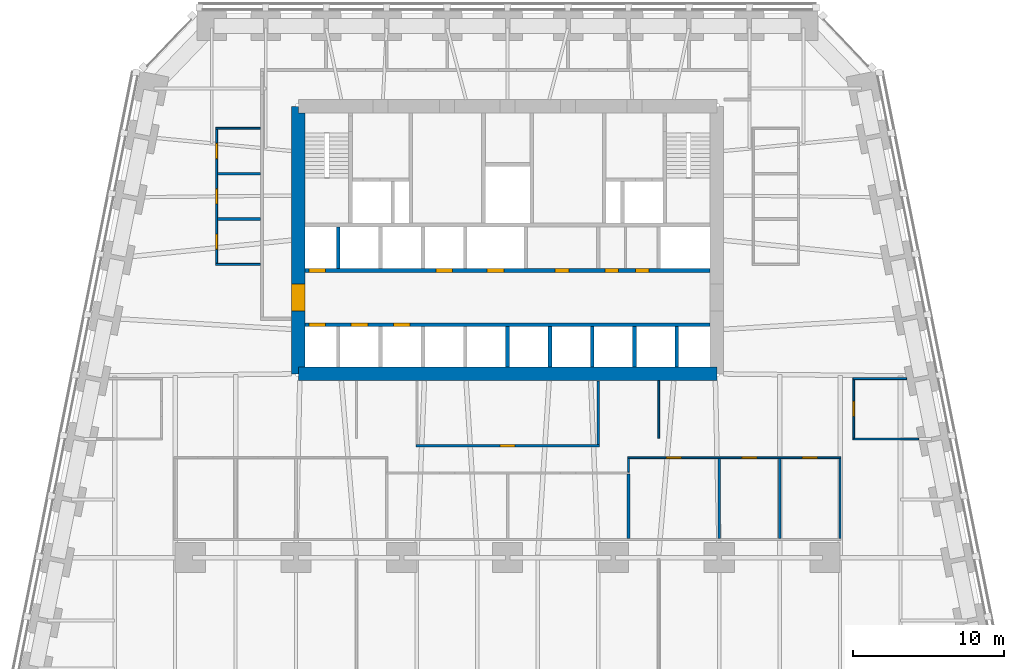
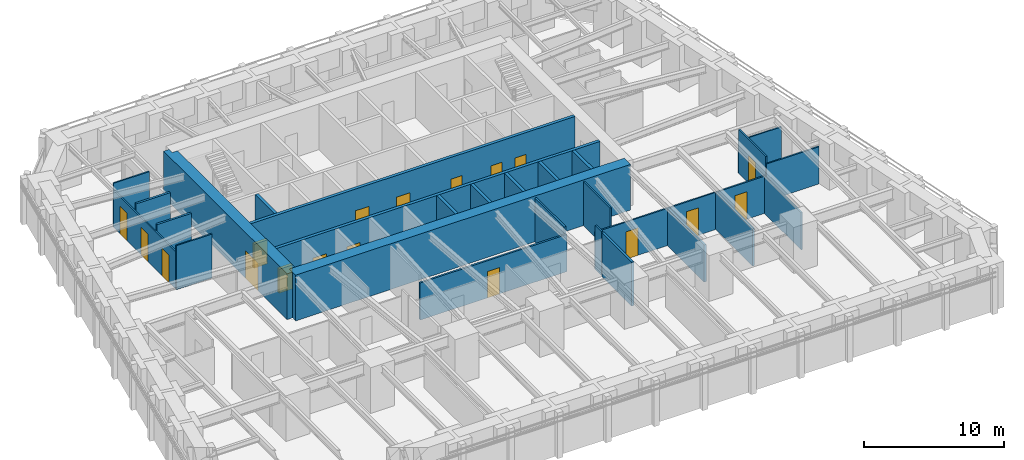
# One storey, part 6 of 10: 27 walls, 18 doors, 18 openings.
"""IFC4 building model written with IfcOpenShell, lengths in metres."""

from ifc_helpers import new_model, si_unit, direction, frame, frame_2d, origin, place, context, subcontext, project, spatial, polyline, rectangle, outline, extrude, material, layer, layer_set, type_object, element, fill, save


model = new_model("IFC4")

# Units and contexts
model_context = context("Model", 3, precision=1e-05, world=origin(), true_north=direction((0.0, 1.0)))
body_context = subcontext(model_context, "Body", "Model", "MODEL_VIEW")
ifc_project = project(units=[si_unit("LENGTHUNIT", "METRE"), si_unit("AREAUNIT", "SQUARE_METRE"), si_unit("VOLUMEUNIT", "CUBIC_METRE"), si_unit("PLANEANGLEUNIT", "RADIAN"), si_unit("MASSUNIT", "GRAM", prefix="KILO")], contexts=[model_context])

# Site, building, storey
site_placement = place(None, origin())
site = spatial("IfcSite", under=ifc_project, at=site_placement, CompositionType="ELEMENT")
building_placement = place(site_placement, origin())
building = spatial("IfcBuilding", under=site, at=building_placement, Name="Isbrekke Arena Tower", CompositionType="ELEMENT")
storey_placement = place(building_placement, frame((0.0, 0.0, 76.0)))
storey = spatial("IfcBuildingStorey", under=building, at=storey_placement, Name="L16", CompositionType="ELEMENT", Elevation=76.0)

# Wall
ifc_material_1 = material(Name="Concrete B65 (C65/80)", Category="concrete")
ifc_layer_1 = layer(ifc_material_1, 0.89990234375)
ifc_layer_set_1 = layer_set([ifc_layer_1], Name="CW2 CORE WALL 900")
wall_type_1 = type_object("IfcWallType", Name="CW2 CORE WALL 900", PredefinedType="SHEAR", material=ifc_layer_set_1)
wall_1_placement = place(storey_placement, frame((-13.85009765625, 6.14990234375, 0.0), z_axis=(0.0, 0.0, 1.0), x_axis=(1.0, 0.0, 0.0)))
element("IfcWall", 1, at=wall_1_placement, inside=storey, type_object=wall_type_1, Name="Core wall S L16", PredefinedType="SHEAR", context=body_context, shape_type="SweptSolid", body=[
    extrude(rectangle(XDim=27.7001953125, YDim=0.89990234375, at=frame_2d((13.85009765625, 0.0))), origin(), (0.0, 0.0, 1.0), 4.0),
])

# Wall, opening, door
wall_2_placement = place(storey_placement, frame((-13.85009765625, 23.85009765625, 0.0), z_axis=(0.0, 0.0, 1.0), x_axis=(0.0, -1.0, 0.0)))
wall_2 = element("IfcWall", 2, at=wall_2_placement, inside=storey, type_object=wall_type_1, Name="Core wall W L16", PredefinedType="SHEAR", context=body_context, shape_type="SweptSolid", body=[
    extrude(outline(polyline([(0.0, -0.449951171875), (17.7001953125, -0.449951171875), (17.7001953125, 0.0), (17.250244140625, 0.0), (17.250244140625, 0.449951171875), (0.449951171875, 0.449951171875), (0.449951171875, 0.0), (0.0, 0.0), (0.0, -0.449951171875)])), origin(), (0.0, 0.0, 1.0), 4.0),
])
opening_1_placement = place(wall_2_placement, frame((11.75, 0.0, 0.0)))
opening_1 = element("IfcOpeningElement", 3, at=opening_1_placement, cuts=wall_2, Name="Opening D1", PredefinedType="OPENING", context=body_context, shape_type="SweptSolid", body=[
    extrude(rectangle(XDim=1.800048828125, YDim=2.39990234375, at=frame_2d((0.89990234375, 1.199951171875))), frame((0.0, 0.46484375, 0.0), z_axis=(0.0, -1.0, 0.0), x_axis=(1.0, 0.0, 0.0)), (0.0, 0.0, 1.0), 0.9296875),
])
ifc_material_2 = material(Name="Steel-framed glazed fire door", Category="steel")
door_type_1 = type_object("IfcDoorType", Name="D1 CORE LOBBY DOOR 1800 x 2400", OperationType="DOUBLE_DOOR_SINGLE_SWING", PredefinedType="DOOR", material=ifc_material_2)
door_1_placement = place(opening_1_placement, origin())
door_1 = element("IfcDoor", 4, at=door_1_placement, inside=storey, type_object=door_type_1, Name="D1 lift lobby door west L16", OperationType="DOUBLE_DOOR_SINGLE_SWING", OverallHeight=2.39990234375, OverallWidth=1.800048828125, PredefinedType="DOOR", context=body_context, shape_type="SweptSolid", body=[
    extrude(rectangle(XDim=1.800048828125, YDim=2.39990234375, at=frame_2d((0.89990234375, 1.199951171875))), frame((0.0, 0.44970703125, 0.0), z_axis=(0.0, -1.0, 0.0), x_axis=(1.0, 0.0, 0.0)), (0.0, 0.0, 1.0), 0.8994140625),
])
fill(opening_1, door_1)

# Wall, openings, doors
ifc_material_3 = material(Name="Concrete B45 (C45/55)", Category="concrete")
ifc_layer_2 = layer(ifc_material_3, 0.25)
ifc_layer_set_2 = layer_set([ifc_layer_2], Name="CW6 SHAFT WALL 250")
wall_type_2 = type_object("IfcWallType", Name="CW6 SHAFT WALL 250", PredefinedType="SHEAR", material=ifc_layer_set_2)
wall_3_placement = place(storey_placement, frame((-13.39990234375, 9.39990234375, 0.0), z_axis=(0.0, 0.0, 1.0), x_axis=(1.0, 0.0, 0.0)))
wall_3 = element("IfcWall", 5, at=wall_3_placement, inside=storey, type_object=wall_type_2, Name="Core wall LS L16", PredefinedType="SHEAR", context=body_context, shape_type="SweptSolid", body=[
    extrude(rectangle(XDim=26.7998046875, YDim=0.25, at=frame_2d((13.39990234375, 0.0))), origin(), (0.0, 0.0, 1.0), 4.0),
])
opening_2_placement = place(wall_3_placement, frame((0.25, 0.0, 0.0)))
opening_2 = element("IfcOpeningElement", 6, at=opening_2_placement, cuts=wall_3, Name="Opening LD1", PredefinedType="OPENING", context=body_context, shape_type="SweptSolid", body=[
    extrude(rectangle(XDim=1.10009765625, YDim=2.10009765625, at=frame_2d((0.550048828125, 1.050048828125))), frame((0.0, 0.139892578125, 0.0), z_axis=(0.0, -1.0, 0.0), x_axis=(1.0, 0.0, 0.0)), (0.0, 0.0, 1.0), 0.27978515625),
])
opening_3_placement = place(wall_3_placement, frame((3.050048828125, 0.0, 0.0)))
opening_3 = element("IfcOpeningElement", 7, at=opening_3_placement, cuts=wall_3, Name="Opening LD1", PredefinedType="OPENING", context=body_context, shape_type="SweptSolid", body=[
    extrude(rectangle(XDim=1.10009765625, YDim=2.10009765625, at=frame_2d((0.550048828125, 1.050048828125))), frame((0.0, 0.139892578125, 0.0), z_axis=(0.0, -1.0, 0.0), x_axis=(1.0, 0.0, 0.0)), (0.0, 0.0, 1.0), 0.27978515625),
])
opening_4_placement = place(wall_3_placement, frame((5.85009765625, 0.0, 0.0)))
opening_4 = element("IfcOpeningElement", 8, at=opening_4_placement, cuts=wall_3, Name="Opening LD1", PredefinedType="OPENING", context=body_context, shape_type="SweptSolid", body=[
    extrude(rectangle(XDim=1.10009765625, YDim=2.10009765625, at=frame_2d((0.550048828125, 1.050048828125))), frame((0.0, 0.139892578125, 0.0), z_axis=(0.0, -1.0, 0.0), x_axis=(1.0, 0.0, 0.0)), (0.0, 0.0, 1.0), 0.27978515625),
])
ifc_material_4 = material(Name="Stainless steel lift landing door", Category="steel")
door_type_2 = type_object("IfcDoorType", Name="LD1 LIFT LANDING DOOR 1100 x 2100", OperationType="SLIDING_TO_LEFT", PredefinedType="DOOR", material=ifc_material_4)
door_2_placement = place(opening_2_placement, origin())
door_2 = element("IfcDoor", 9, at=door_2_placement, inside=storey, type_object=door_type_2, Name="LD1 lift landing door LA L16", OperationType="SLIDING_TO_LEFT", OverallHeight=2.10009765625, OverallWidth=1.10009765625, PredefinedType="DOOR", context=body_context, shape_type="SweptSolid", body=[
    extrude(rectangle(XDim=1.10009765625, YDim=2.10009765625, at=frame_2d((0.550048828125, 1.050048828125))), frame((0.0, 0.124755859375, 0.0), z_axis=(0.0, -1.0, 0.0), x_axis=(1.0, 0.0, 0.0)), (0.0, 0.0, 1.0), 0.24951171875),
])
fill(opening_2, door_2)
door_3_placement = place(opening_3_placement, origin())
door_3 = element("IfcDoor", 10, at=door_3_placement, inside=storey, type_object=door_type_2, Name="LD1 lift landing door LA L16", OperationType="SLIDING_TO_LEFT", OverallHeight=2.10009765625, OverallWidth=1.10009765625, PredefinedType="DOOR", context=body_context, shape_type="SweptSolid", body=[
    extrude(rectangle(XDim=1.10009765625, YDim=2.10009765625, at=frame_2d((0.550048828125, 1.050048828125))), frame((0.0, 0.124755859375, 0.0), z_axis=(0.0, -1.0, 0.0), x_axis=(1.0, 0.0, 0.0)), (0.0, 0.0, 1.0), 0.24951171875),
])
fill(opening_3, door_3)
door_4_placement = place(opening_4_placement, origin())
door_4 = element("IfcDoor", 11, at=door_4_placement, inside=storey, type_object=door_type_2, Name="LD1 lift landing door LA L16", OperationType="SLIDING_TO_LEFT", OverallHeight=2.10009765625, OverallWidth=1.10009765625, PredefinedType="DOOR", context=body_context, shape_type="SweptSolid", body=[
    extrude(rectangle(XDim=1.10009765625, YDim=2.10009765625, at=frame_2d((0.550048828125, 1.050048828125))), frame((0.0, 0.124755859375, 0.0), z_axis=(0.0, -1.0, 0.0), x_axis=(1.0, 0.0, 0.0)), (0.0, 0.0, 1.0), 0.24951171875),
])
fill(opening_4, door_4)

wall_4_placement = place(storey_placement, frame((-13.39990234375, 13.0, 0.0), z_axis=(0.0, 0.0, 1.0), x_axis=(1.0, 0.0, 0.0)))
wall_4 = element("IfcWall", 12, at=wall_4_placement, inside=storey, type_object=wall_type_2, Name="Core wall LN L16", PredefinedType="SHEAR", context=body_context, shape_type="SweptSolid", body=[
    extrude(rectangle(XDim=26.7998046875, YDim=0.25, at=frame_2d((13.39990234375, 0.0))), origin(), (0.0, 0.0, 1.0), 4.0),
])
opening_5_placement = place(wall_4_placement, frame((0.25, 0.0, 0.0)))
opening_5 = element("IfcOpeningElement", 13, at=opening_5_placement, cuts=wall_4, Name="Opening LD1", PredefinedType="OPENING", context=body_context, shape_type="SweptSolid", body=[
    extrude(rectangle(XDim=1.10009765625, YDim=2.10009765625, at=frame_2d((0.550048828125, 1.050048828125))), frame((0.0, 0.139892578125, 0.0), z_axis=(0.0, -1.0, 0.0), x_axis=(1.0, 0.0, 0.0)), (0.0, 0.0, 1.0), 0.27978515625),
])
opening_6_placement = place(wall_4_placement, frame((8.64990234375, 0.0, 0.0)))
opening_6 = element("IfcOpeningElement", 14, at=opening_6_placement, cuts=wall_4, Name="Opening LD1", PredefinedType="OPENING", context=body_context, shape_type="SweptSolid", body=[
    extrude(rectangle(XDim=1.10009765625, YDim=2.10009765625, at=frame_2d((0.550048828125, 1.050048828125))), frame((0.0, 0.139892578125, 0.0), z_axis=(0.0, -1.0, 0.0), x_axis=(1.0, 0.0, 0.0)), (0.0, 0.0, 1.0), 0.27978515625),
])
opening_7_placement = place(wall_4_placement, frame((12.050048828125, 0.0, 0.0)))
opening_7 = element("IfcOpeningElement", 15, at=opening_7_placement, cuts=wall_4, Name="Opening LD1", PredefinedType="OPENING", context=body_context, shape_type="SweptSolid", body=[
    extrude(rectangle(XDim=1.10009765625, YDim=2.10009765625, at=frame_2d((0.550048828125, 1.050048828125))), frame((0.0, 0.139892578125, 0.0), z_axis=(0.0, -1.0, 0.0), x_axis=(1.0, 0.0, 0.0)), (0.0, 0.0, 1.0), 0.27978515625),
])
opening_8_placement = place(wall_4_placement, frame((16.550048828125, 0.0, 0.0)))
opening_8 = element("IfcOpeningElement", 16, at=opening_8_placement, cuts=wall_4, Name="Opening D5", PredefinedType="OPENING", context=body_context, shape_type="SweptSolid", body=[
    extrude(rectangle(XDim=0.89990234375, YDim=2.10009765625, at=frame_2d((0.449951171875, 1.050048828125))), frame((0.0, 0.139892578125, 0.0), z_axis=(0.0, -1.0, 0.0), x_axis=(1.0, 0.0, 0.0)), (0.0, 0.0, 1.0), 0.27978515625),
])
opening_9_placement = place(wall_4_placement, frame((19.85009765625, 0.0, 0.0)))
opening_9 = element("IfcOpeningElement", 17, at=opening_9_placement, cuts=wall_4, Name="Opening D5", PredefinedType="OPENING", context=body_context, shape_type="SweptSolid", body=[
    extrude(rectangle(XDim=0.89990234375, YDim=2.10009765625, at=frame_2d((0.449951171875, 1.050048828125))), frame((0.0, 0.139892578125, 0.0), z_axis=(0.0, -1.0, 0.0), x_axis=(1.0, 0.0, 0.0)), (0.0, 0.0, 1.0), 0.27978515625),
])
opening_10_placement = place(wall_4_placement, frame((21.85009765625, 0.0, 0.0)))
opening_10 = element("IfcOpeningElement", 18, at=opening_10_placement, cuts=wall_4, Name="Opening D5", PredefinedType="OPENING", context=body_context, shape_type="SweptSolid", body=[
    extrude(rectangle(XDim=0.89990234375, YDim=2.10009765625, at=frame_2d((0.449951171875, 1.050048828125))), frame((0.0, 0.139892578125, 0.0), z_axis=(0.0, -1.0, 0.0), x_axis=(1.0, 0.0, 0.0)), (0.0, 0.0, 1.0), 0.27978515625),
])
ifc_material_5 = material(Name="Steel fire door", Category="steel")
door_type_3 = type_object("IfcDoorType", Name="D5 SERVICE DOOR 900 x 2100", OperationType="SINGLE_SWING_LEFT", PredefinedType="DOOR", material=ifc_material_5)
door_5_placement = place(opening_8_placement, origin())
door_5 = element("IfcDoor", 19, at=door_5_placement, inside=storey, type_object=door_type_3, Name="D5 quiet room door L16", OperationType="SINGLE_SWING_LEFT", OverallHeight=2.10009765625, OverallWidth=0.89990234375, PredefinedType="DOOR", context=body_context, shape_type="SweptSolid", body=[
    extrude(rectangle(XDim=0.89990234375, YDim=2.10009765625, at=frame_2d((0.449951171875, 1.050048828125))), frame((0.0, 0.124755859375, 0.0), z_axis=(0.0, -1.0, 0.0), x_axis=(1.0, 0.0, 0.0)), (0.0, 0.0, 1.0), 0.24951171875),
])
fill(opening_8, door_5)
door_6_placement = place(opening_9_placement, origin())
door_6 = element("IfcDoor", 20, at=door_6_placement, inside=storey, type_object=door_type_3, Name="D5 communications room door L16", OperationType="SINGLE_SWING_LEFT", OverallHeight=2.10009765625, OverallWidth=0.89990234375, PredefinedType="DOOR", context=body_context, shape_type="SweptSolid", body=[
    extrude(rectangle(XDim=0.89990234375, YDim=2.10009765625, at=frame_2d((0.449951171875, 1.050048828125))), frame((0.0, 0.124755859375, 0.0), z_axis=(0.0, -1.0, 0.0), x_axis=(1.0, 0.0, 0.0)), (0.0, 0.0, 1.0), 0.24951171875),
])
fill(opening_9, door_6)
door_7_placement = place(opening_10_placement, origin())
door_7 = element("IfcDoor", 21, at=door_7_placement, inside=storey, type_object=door_type_3, Name="D5 cleaner's store door L16", OperationType="SINGLE_SWING_LEFT", OverallHeight=2.10009765625, OverallWidth=0.89990234375, PredefinedType="DOOR", context=body_context, shape_type="SweptSolid", body=[
    extrude(rectangle(XDim=0.89990234375, YDim=2.10009765625, at=frame_2d((0.449951171875, 1.050048828125))), frame((0.0, 0.124755859375, 0.0), z_axis=(0.0, -1.0, 0.0), x_axis=(1.0, 0.0, 0.0)), (0.0, 0.0, 1.0), 0.24951171875),
])
fill(opening_10, door_7)
door_8_placement = place(opening_5_placement, origin())
door_8 = element("IfcDoor", 22, at=door_8_placement, inside=storey, type_object=door_type_2, Name="LD1 lift landing door LA L16", OperationType="SLIDING_TO_LEFT", OverallHeight=2.10009765625, OverallWidth=1.10009765625, PredefinedType="DOOR", context=body_context, shape_type="SweptSolid", body=[
    extrude(rectangle(XDim=1.10009765625, YDim=2.10009765625, at=frame_2d((0.550048828125, 1.050048828125))), frame((0.0, 0.124755859375, 0.0), z_axis=(0.0, -1.0, 0.0), x_axis=(1.0, 0.0, 0.0)), (0.0, 0.0, 1.0), 0.24951171875),
])
fill(opening_5, door_8)
door_9_placement = place(opening_6_placement, origin())
door_9 = element("IfcDoor", 23, at=door_9_placement, inside=storey, type_object=door_type_2, Name="LD1 lift landing door LA L16", OperationType="SLIDING_TO_LEFT", OverallHeight=2.10009765625, OverallWidth=1.10009765625, PredefinedType="DOOR", context=body_context, shape_type="SweptSolid", body=[
    extrude(rectangle(XDim=1.10009765625, YDim=2.10009765625, at=frame_2d((0.550048828125, 1.050048828125))), frame((0.0, 0.124755859375, 0.0), z_axis=(0.0, -1.0, 0.0), x_axis=(1.0, 0.0, 0.0)), (0.0, 0.0, 1.0), 0.24951171875),
])
fill(opening_6, door_9)
door_10_placement = place(opening_7_placement, origin())
door_10 = element("IfcDoor", 24, at=door_10_placement, inside=storey, type_object=door_type_2, Name="LD1 lift landing door LA L16", OperationType="SLIDING_TO_LEFT", OverallHeight=2.10009765625, OverallWidth=1.10009765625, PredefinedType="DOOR", context=body_context, shape_type="SweptSolid", body=[
    extrude(rectangle(XDim=1.10009765625, YDim=2.10009765625, at=frame_2d((0.550048828125, 1.050048828125))), frame((0.0, 0.124755859375, 0.0), z_axis=(0.0, -1.0, 0.0), x_axis=(1.0, 0.0, 0.0)), (0.0, 0.0, 1.0), 0.24951171875),
])
fill(opening_7, door_10)

# Walls
for number, where, z_axis, x_axis, name in (
    (25, (0.0, 6.60009765625, 0.0), (0.0, 0.0, 1.0), (0.0, 1.0, 0.0), "Core wall SS05 L16"),
    (26, (2.800048828125, 6.60009765625, 0.0), (0.0, 0.0, 1.0), (0.0, 1.0, 0.0), "Core wall SS06 L16"),
    (27, (5.60009765625, 6.60009765625, 0.0), (0.0, 0.0, 1.0), (0.0, 1.0, 0.0), "Core wall SS07 L16"),
    (28, (8.39990234375, 6.60009765625, 0.0), (0.0, 0.0, 1.0), (0.0, 1.0, 0.0), "Core wall SS08 L16"),
    (29, (11.199951171875, 6.60009765625, 0.0), (0.0, 0.0, 1.0), (0.0, 1.0, 0.0), "Core wall SS09 L16"),
):
    element("IfcWall", number, at=place(storey_placement, frame(where, z_axis=z_axis, x_axis=x_axis)), inside=storey, type_object=wall_type_2, Name=name, PredefinedType="SHEAR", context=body_context, shape_type="SweptSolid", body=[
        extrude(rectangle(XDim=2.6748046875, YDim=0.25, at=frame_2d((1.33740234375, 0.0))), origin(), (0.0, 0.0, 1.0), 4.0),
    ])
wall_5_placement = place(storey_placement, frame((-11.199951171875, 13.125, 0.0), z_axis=(0.0, 0.0, 1.0), x_axis=(0.0, 1.0, 0.0)))
element("IfcWall", 30, at=wall_5_placement, inside=storey, type_object=wall_type_2, Name="Core wall SN01 L16", PredefinedType="SHEAR", context=body_context, shape_type="SweptSolid", body=[
    extrude(rectangle(XDim=2.75, YDim=0.25, at=frame_2d((1.375, 0.0))), origin(), (0.0, 0.0, 1.0), 4.0),
])

# Wall, opening, door
ifc_material_6 = material(Name="Gypsum board partition on steel studs", Category="steel")
ifc_layer_3 = layer(ifc_material_6, 0.14990234375)
ifc_layer_set_3 = layer_set([ifc_layer_3], Name="IW1 PARTITION 150")
wall_type_3 = type_object("IfcWallType", Name="IW1 PARTITION 150", PredefinedType="PARTITIONING", material=ifc_layer_set_3)
wall_6_placement = place(storey_placement, frame((-6.074951171875, 1.39990234375, 0.0), z_axis=(0.0, 0.0, 1.0), x_axis=(1.0, 0.0, 0.0)))
wall_6 = element("IfcWall", 31, at=wall_6_placement, inside=storey, type_object=wall_type_3, Name="IW1 partition 150 L16", PredefinedType="PARTITIONING", context=body_context, shape_type="SweptSolid", body=[
    extrude(rectangle(XDim=12.14990234375, YDim=0.14990234375, at=frame_2d((6.074951171875, 0.0))), origin(), (0.0, 0.0, 1.0), 3.25),
])
opening_11_placement = place(wall_6_placement, frame((5.574951171875, 0.0, 0.0)))
opening_11 = element("IfcOpeningElement", 32, at=opening_11_placement, cuts=wall_6, Name="Opening D10", PredefinedType="OPENING", context=body_context, shape_type="SweptSolid", body=[
    extrude(rectangle(XDim=1.0, YDim=2.300048828125, at=frame_2d((0.5, 1.14990234375))), frame((0.0, 0.08984375, 0.0), z_axis=(0.0, -1.0, 0.0), x_axis=(1.0, 0.0, 0.0)), (0.0, 0.0, 1.0), 0.1796875),
])
ifc_material_7 = material(Name="Timber door", Category="wood")
door_type_4 = type_object("IfcDoorType", Name="D10 OFFICE DOOR 1000 x 2300", OperationType="SINGLE_SWING_LEFT", PredefinedType="DOOR", material=ifc_material_7)
door_11_placement = place(opening_11_placement, origin())
door_11 = element("IfcDoor", 33, at=door_11_placement, inside=storey, type_object=door_type_4, Name="D10 pantry door L16", OperationType="SINGLE_SWING_LEFT", OverallHeight=2.300048828125, OverallWidth=1.0, PredefinedType="DOOR", context=body_context, shape_type="SweptSolid", body=[
    extrude(rectangle(XDim=1.0, YDim=2.300048828125, at=frame_2d((0.5, 1.14990234375))), frame((0.0, 0.07470703125, 0.0), z_axis=(0.0, -1.0, 0.0), x_axis=(1.0, 0.0, 0.0)), (0.0, 0.0, 1.0), 0.1494140625),
])
fill(opening_11, door_11)

# Wall
wall_7_placement = place(storey_placement, frame((6.0, 1.47509765625, 0.0), z_axis=(0.0, 0.0, 1.0), x_axis=(0.0, 1.0, 0.0)))
element("IfcWall", 34, at=wall_7_placement, inside=storey, type_object=wall_type_3, Name="IW1 partition 150 L16", PredefinedType="PARTITIONING", context=body_context, shape_type="SweptSolid", body=[
    extrude(rectangle(XDim=4.19482421875, YDim=0.14990234375, at=frame_2d((2.097412109375, 0.0))), origin(), (0.0, 0.0, 1.0), 3.85009765625),
])

# Wall, openings, doors
ifc_material_8 = material(Name="Frameless glazed partition, laminated acoustic glass", Category="glass")
ifc_layer_4 = layer(ifc_material_8, 0.1201171875)
ifc_layer_set_4 = layer_set([ifc_layer_4], Name="IW2 GLAZED PARTITION 120")
wall_type_4 = type_object("IfcWallType", Name="IW2 GLAZED PARTITION 120", PredefinedType="PARTITIONING", material=ifc_layer_set_4)
wall_8_placement = place(storey_placement, frame((7.93994140625, 0.60009765625, 0.0), z_axis=(0.0, 0.0, 1.0), x_axis=(1.0, 0.0, 0.0)))
wall_8 = element("IfcWall", 35, at=wall_8_placement, inside=storey, type_object=wall_type_4, Name="IW2 glazed partition 120 L16", PredefinedType="PARTITIONING", context=body_context, shape_type="SweptSolid", body=[
    extrude(rectangle(XDim=14.1201171875, YDim=0.1201171875, at=frame_2d((7.06005859375, 0.0))), origin(), (0.0, 0.0, 1.0), 3.25),
])
opening_12_placement = place(wall_8_placement, frame((7.56005859375, 0.0, 0.0)))
opening_12 = element("IfcOpeningElement", 36, at=opening_12_placement, cuts=wall_8, Name="Opening D11", PredefinedType="OPENING", context=body_context, shape_type="SweptSolid", body=[
    extrude(rectangle(XDim=1.0, YDim=2.39990234375, at=frame_2d((0.5, 1.199951171875))), frame((0.0, 0.074951171875, 0.0), z_axis=(0.0, -1.0, 0.0), x_axis=(1.0, 0.0, 0.0)), (0.0, 0.0, 1.0), 0.14990234375),
])
opening_13_placement = place(wall_8_placement, frame((11.56005859375, 0.0, 0.0)))
opening_13 = element("IfcOpeningElement", 37, at=opening_13_placement, cuts=wall_8, Name="Opening D11", PredefinedType="OPENING", context=body_context, shape_type="SweptSolid", body=[
    extrude(rectangle(XDim=1.0, YDim=2.39990234375, at=frame_2d((0.5, 1.199951171875))), frame((0.0, 0.074951171875, 0.0), z_axis=(0.0, -1.0, 0.0), x_axis=(1.0, 0.0, 0.0)), (0.0, 0.0, 1.0), 0.14990234375),
])
opening_14_placement = place(wall_8_placement, frame((2.56005859375, 0.0, 0.0)))
opening_14 = element("IfcOpeningElement", 38, at=opening_14_placement, cuts=wall_8, Name="Opening D11", PredefinedType="OPENING", context=body_context, shape_type="SweptSolid", body=[
    extrude(rectangle(XDim=1.0, YDim=2.39990234375, at=frame_2d((0.5, 1.199951171875))), frame((0.0, 0.074951171875, 0.0), z_axis=(0.0, -1.0, 0.0), x_axis=(1.0, 0.0, 0.0)), (0.0, 0.0, 1.0), 0.14990234375),
])
ifc_material_9 = material(Name="Frameless glazed door", Category="glass")
door_type_5 = type_object("IfcDoorType", Name="D11 GLAZED MEETING ROOM DOOR 1000 x 2400", OperationType="SINGLE_SWING_RIGHT", PredefinedType="DOOR", material=ifc_material_9)
door_12_placement = place(opening_12_placement, origin())
door_12 = element("IfcDoor", 39, at=door_12_placement, inside=storey, type_object=door_type_5, Name="D11 meeting room door L16", OperationType="SINGLE_SWING_RIGHT", OverallHeight=2.39990234375, OverallWidth=1.0, PredefinedType="DOOR", context=body_context, shape_type="SweptSolid", body=[
    extrude(rectangle(XDim=1.0, YDim=2.39990234375, at=frame_2d((0.5, 1.199951171875))), frame((0.0, 0.059814453125, 0.0), z_axis=(0.0, -1.0, 0.0), x_axis=(1.0, 0.0, 0.0)), (0.0, 0.0, 1.0), 0.11962890625),
])
fill(opening_12, door_12)
door_13_placement = place(opening_13_placement, origin())
door_13 = element("IfcDoor", 40, at=door_13_placement, inside=storey, type_object=door_type_5, Name="D11 meeting room door L16", OperationType="SINGLE_SWING_RIGHT", OverallHeight=2.39990234375, OverallWidth=1.0, PredefinedType="DOOR", context=body_context, shape_type="SweptSolid", body=[
    extrude(rectangle(XDim=1.0, YDim=2.39990234375, at=frame_2d((0.5, 1.199951171875))), frame((0.0, 0.059814453125, 0.0), z_axis=(0.0, -1.0, 0.0), x_axis=(1.0, 0.0, 0.0)), (0.0, 0.0, 1.0), 0.11962890625),
])
fill(opening_13, door_13)
door_14_placement = place(opening_14_placement, origin())
door_14 = element("IfcDoor", 41, at=door_14_placement, inside=storey, type_object=door_type_5, Name="D11 meeting room door L16", OperationType="SINGLE_SWING_RIGHT", OverallHeight=2.39990234375, OverallWidth=1.0, PredefinedType="DOOR", context=body_context, shape_type="SweptSolid", body=[
    extrude(rectangle(XDim=1.0, YDim=2.39990234375, at=frame_2d((0.5, 1.199951171875))), frame((0.0, 0.059814453125, 0.0), z_axis=(0.0, -1.0, 0.0), x_axis=(1.0, 0.0, 0.0)), (0.0, 0.0, 1.0), 0.11962890625),
])
fill(opening_14, door_14)

# Walls
wall_9_placement = place(storey_placement, frame((22.840087890625, 1.840087890625, 0.0), z_axis=(0.0, 0.0, 1.0), x_axis=(1.0, 0.0, 0.0)))
element("IfcWall", 42, at=wall_9_placement, inside=storey, type_object=wall_type_4, Name="IW2 glazed partition 120 L16", PredefinedType="PARTITIONING", context=body_context, shape_type="SweptSolid", body=[
    extrude(rectangle(XDim=4.356201171875, YDim=0.1201171875, at=frame_2d((2.17822265625, 0.0))), origin(), (0.0, 0.0, 1.0), 3.25),
])
wall_10_placement = place(storey_placement, frame((22.840087890625, 5.840087890625, 0.0), z_axis=(0.0, 0.0, 1.0), x_axis=(1.0, 0.0, 0.0)))
element("IfcWall", 43, at=wall_10_placement, inside=storey, type_object=wall_type_4, Name="IW2 glazed partition 120 L16", PredefinedType="PARTITIONING", context=body_context, shape_type="SweptSolid", body=[
    extrude(rectangle(XDim=3.556396484375, YDim=0.1201171875, at=frame_2d((1.7783203125, 0.0))), origin(), (0.0, 0.0, 1.0), 2.842041015625),
])
for number, where, z_axis, x_axis, name in (
    (44, (-19.31005859375, 13.39990234375, 0.0), (0.0, 0.0, 1.0), (1.0, 0.0, 0.0), "IW2 glazed partition 120 L16"),
    (45, (-19.31005859375, 22.39990234375, 0.0), (0.0, 0.0, 1.0), (1.0, 0.0, 0.0), "IW2 glazed partition 120 L16"),
):
    element("IfcWall", number, at=place(storey_placement, frame(where, z_axis=z_axis, x_axis=x_axis)), inside=storey, type_object=wall_type_4, Name=name, PredefinedType="PARTITIONING", context=body_context, shape_type="SweptSolid", body=[
        extrude(rectangle(XDim=2.9599609375, YDim=0.1201171875, at=frame_2d((1.47998046875, 0.0))), origin(), (0.0, 0.0, 1.0), 3.85009765625),
    ])

# Wall, openings, doors
wall_11_placement = place(storey_placement, frame((-19.25, 13.4599609375, 0.0), z_axis=(0.0, 0.0, 1.0), x_axis=(0.0, 1.0, 0.0)))
wall_11 = element("IfcWall", 46, at=wall_11_placement, inside=storey, type_object=wall_type_4, Name="IW2 glazed partition 120 L16", PredefinedType="PARTITIONING", context=body_context, shape_type="SweptSolid", body=[
    extrude(rectangle(XDim=8.880126953125, YDim=0.1201171875, at=frame_2d((4.43994140625, 0.0))), origin(), (0.0, 0.0, 1.0), 3.25),
])
opening_15_placement = place(wall_11_placement, frame((0.93994140625, 0.0, 0.0)))
opening_15 = element("IfcOpeningElement", 47, at=opening_15_placement, cuts=wall_11, Name="Opening D11", PredefinedType="OPENING", context=body_context, shape_type="SweptSolid", body=[
    extrude(rectangle(XDim=1.0, YDim=2.39990234375, at=frame_2d((0.5, 1.199951171875))), frame((0.0, 0.074951171875, 0.0), z_axis=(0.0, -1.0, 0.0), x_axis=(1.0, 0.0, 0.0)), (0.0, 0.0, 1.0), 0.14990234375),
])
opening_16_placement = place(wall_11_placement, frame((3.93994140625, 0.0, 0.0)))
opening_16 = element("IfcOpeningElement", 48, at=opening_16_placement, cuts=wall_11, Name="Opening D11", PredefinedType="OPENING", context=body_context, shape_type="SweptSolid", body=[
    extrude(rectangle(XDim=1.0, YDim=2.39990234375, at=frame_2d((0.5, 1.199951171875))), frame((0.0, 0.074951171875, 0.0), z_axis=(0.0, -1.0, 0.0), x_axis=(1.0, 0.0, 0.0)), (0.0, 0.0, 1.0), 0.14990234375),
])
opening_17_placement = place(wall_11_placement, frame((6.93994140625, 0.0, 0.0)))
opening_17 = element("IfcOpeningElement", 49, at=opening_17_placement, cuts=wall_11, Name="Opening D11", PredefinedType="OPENING", context=body_context, shape_type="SweptSolid", body=[
    extrude(rectangle(XDim=1.0, YDim=2.39990234375, at=frame_2d((0.5, 1.199951171875))), frame((0.0, 0.074951171875, 0.0), z_axis=(0.0, -1.0, 0.0), x_axis=(1.0, 0.0, 0.0)), (0.0, 0.0, 1.0), 0.14990234375),
])
door_15_placement = place(opening_15_placement, origin())
door_15 = element("IfcDoor", 50, at=door_15_placement, inside=storey, type_object=door_type_5, Name="D11 quiet room door L16", OperationType="SINGLE_SWING_RIGHT", OverallHeight=2.39990234375, OverallWidth=1.0, PredefinedType="DOOR", context=body_context, shape_type="SweptSolid", body=[
    extrude(rectangle(XDim=1.0, YDim=2.39990234375, at=frame_2d((0.5, 1.199951171875))), frame((0.0, 0.059814453125, 0.0), z_axis=(0.0, -1.0, 0.0), x_axis=(1.0, 0.0, 0.0)), (0.0, 0.0, 1.0), 0.11962890625),
])
fill(opening_15, door_15)
door_16_placement = place(opening_16_placement, origin())
door_16 = element("IfcDoor", 51, at=door_16_placement, inside=storey, type_object=door_type_5, Name="D11 quiet room door L16", OperationType="SINGLE_SWING_RIGHT", OverallHeight=2.39990234375, OverallWidth=1.0, PredefinedType="DOOR", context=body_context, shape_type="SweptSolid", body=[
    extrude(rectangle(XDim=1.0, YDim=2.39990234375, at=frame_2d((0.5, 1.199951171875))), frame((0.0, 0.059814453125, 0.0), z_axis=(0.0, -1.0, 0.0), x_axis=(1.0, 0.0, 0.0)), (0.0, 0.0, 1.0), 0.11962890625),
])
fill(opening_16, door_16)
door_17_placement = place(opening_17_placement, origin())
door_17 = element("IfcDoor", 52, at=door_17_placement, inside=storey, type_object=door_type_5, Name="D11 quiet room door L16", OperationType="SINGLE_SWING_RIGHT", OverallHeight=2.39990234375, OverallWidth=1.0, PredefinedType="DOOR", context=body_context, shape_type="SweptSolid", body=[
    extrude(rectangle(XDim=1.0, YDim=2.39990234375, at=frame_2d((0.5, 1.199951171875))), frame((0.0, 0.059814453125, 0.0), z_axis=(0.0, -1.0, 0.0), x_axis=(1.0, 0.0, 0.0)), (0.0, 0.0, 1.0), 0.11962890625),
])
fill(opening_17, door_17)

# Walls
wall_12_placement = place(storey_placement, frame((8.0, -0.340087890625, 0.0), z_axis=(0.0, 0.0, 1.0), x_axis=(0.0, 1.0, 0.0)))
element("IfcWall", 53, at=wall_12_placement, inside=storey, type_object=wall_type_4, Name="IW2 glazed partition 120 L16", PredefinedType="PARTITIONING", context=body_context, shape_type="SweptSolid", body=[
    extrude(rectangle(XDim=0.880126953125, YDim=0.1201171875, at=frame_2d((0.43994140625, 0.0))), origin(), (0.0, 0.0, 1.0), 3.85009765625),
])
wall_13_placement = place(storey_placement, frame((22.0, -4.739990234375, 0.0), z_axis=(0.0, 0.0, 1.0), x_axis=(0.0, 1.0, 0.0)))
element("IfcWall", 54, at=wall_13_placement, inside=storey, type_object=wall_type_4, Name="IW2 glazed partition 120 L16", PredefinedType="PARTITIONING", context=body_context, shape_type="SweptSolid", body=[
    extrude(rectangle(XDim=5.280029296875, YDim=0.1201171875, at=frame_2d((2.64013671875, 0.0))), origin(), (0.0, 0.0, 1.0), 3.25),
])

# Wall, opening, door
wall_14_placement = place(storey_placement, frame((22.89990234375, 1.89990234375, 0.0), z_axis=(0.0, 0.0, 1.0), x_axis=(0.0, 1.0, 0.0)))
wall_14 = element("IfcWall", 55, at=wall_14_placement, inside=storey, type_object=wall_type_4, Name="IW2 glazed partition 120 L16", PredefinedType="PARTITIONING", context=body_context, shape_type="SweptSolid", body=[
    extrude(rectangle(XDim=3.880126953125, YDim=0.1201171875, at=frame_2d((1.93994140625, 0.0))), origin(), (0.0, 0.0, 1.0), 3.85009765625),
])
opening_18_placement = place(wall_14_placement, frame((1.43994140625, 0.0, 0.0)))
opening_18 = element("IfcOpeningElement", 56, at=opening_18_placement, cuts=wall_14, Name="Opening D11", PredefinedType="OPENING", context=body_context, shape_type="SweptSolid", body=[
    extrude(rectangle(XDim=1.0, YDim=2.39990234375, at=frame_2d((0.5, 1.199951171875))), frame((0.0, 0.074951171875, 0.0), z_axis=(0.0, -1.0, 0.0), x_axis=(1.0, 0.0, 0.0)), (0.0, 0.0, 1.0), 0.14990234375),
])
door_18_placement = place(opening_18_placement, origin())
door_18 = element("IfcDoor", 57, at=door_18_placement, inside=storey, type_object=door_type_5, Name="D11 project room door L16", OperationType="SINGLE_SWING_RIGHT", OverallHeight=2.39990234375, OverallWidth=1.0, PredefinedType="DOOR", context=body_context, shape_type="SweptSolid", body=[
    extrude(rectangle(XDim=1.0, YDim=2.39990234375, at=frame_2d((0.5, 1.199951171875))), frame((0.0, 0.059814453125, 0.0), z_axis=(0.0, -1.0, 0.0), x_axis=(1.0, 0.0, 0.0)), (0.0, 0.0, 1.0), 0.11962890625),
])
fill(opening_18, door_18)

# Walls
wall_15_placement = place(storey_placement, frame((10.0009765625, 1.8798828125, 0.0), z_axis=(0.0, 0.0, 1.0), x_axis=(0.0, 1.0, 0.0)))
element("IfcWall", 58, at=wall_15_placement, inside=storey, type_object=wall_type_4, Name="IW2 glazed partition 120 L16", PredefinedType="PARTITIONING", context=body_context, shape_type="SweptSolid", body=[
    extrude(rectangle(XDim=3.820068359375, YDim=0.1201171875, at=frame_2d((1.91015625, 0.0))), origin(), (0.0, 0.0, 1.0), 3.85009765625),
])
ifc_material_10 = material(Name="Gypsum board acoustic partition on twin steel studs", Category="steel")
ifc_layer_5 = layer(ifc_material_10, 0.175048828125)
ifc_layer_set_5 = layer_set([ifc_layer_5], Name="IW4 ACOUSTIC PARTITION 175")
wall_type_5 = type_object("IfcWallType", Name="IW4 ACOUSTIC PARTITION 175", PredefinedType="PARTITIONING", material=ifc_layer_set_5)
for number, where, z_axis, x_axis, name in (
    (59, (-19.18994140625, 16.39990234375, 0.0), (0.0, 0.0, 1.0), (1.0, 0.0, 0.0), "IW4 acoustic partition 175 L16"),
    (60, (-19.18994140625, 19.39990234375, 0.0), (0.0, 0.0, 1.0), (1.0, 0.0, 0.0), "IW4 acoustic partition 175 L16"),
):
    element("IfcWall", number, at=place(storey_placement, frame(where, z_axis=z_axis, x_axis=x_axis)), inside=storey, type_object=wall_type_5, Name=name, PredefinedType="PARTITIONING", context=body_context, shape_type="SweptSolid", body=[
        extrude(rectangle(XDim=2.83984375, YDim=0.175048828125, at=frame_2d((1.419921875, 0.0))), origin(), (0.0, 0.0, 1.0), 3.85009765625),
    ])
wall_16_placement = place(storey_placement, frame((8.0, -4.739990234375, 0.0), z_axis=(0.0, 0.0, 1.0), x_axis=(0.0, 1.0, 0.0)))
element("IfcWall", 61, at=wall_16_placement, inside=storey, type_object=wall_type_5, Name="IW4 acoustic partition 175 L16", PredefinedType="PARTITIONING", context=body_context, shape_type="SweptSolid", body=[
    extrude(rectangle(XDim=4.280029296875, YDim=0.175048828125, at=frame_2d((2.14013671875, 0.0))), origin(), (0.0, 0.0, 1.0), 3.85009765625),
])
for number, where, z_axis, x_axis, name in (
    (62, (14.0, -4.739990234375, 0.0), (0.0, 0.0, 1.0), (0.0, 1.0, 0.0), "IW4 acoustic partition 175 L16"),
    (63, (18.0, -4.739990234375, 0.0), (0.0, 0.0, 1.0), (0.0, 1.0, 0.0), "IW4 acoustic partition 175 L16"),
):
    element("IfcWall", number, at=place(storey_placement, frame(where, z_axis=z_axis, x_axis=x_axis)), inside=storey, type_object=wall_type_5, Name=name, PredefinedType="PARTITIONING", context=body_context, shape_type="SweptSolid", body=[
        extrude(rectangle(XDim=5.280029296875, YDim=0.175048828125, at=frame_2d((2.64013671875, 0.0))), origin(), (0.0, 0.0, 1.0), 3.25),
    ])

save(model, "model.ifc")
